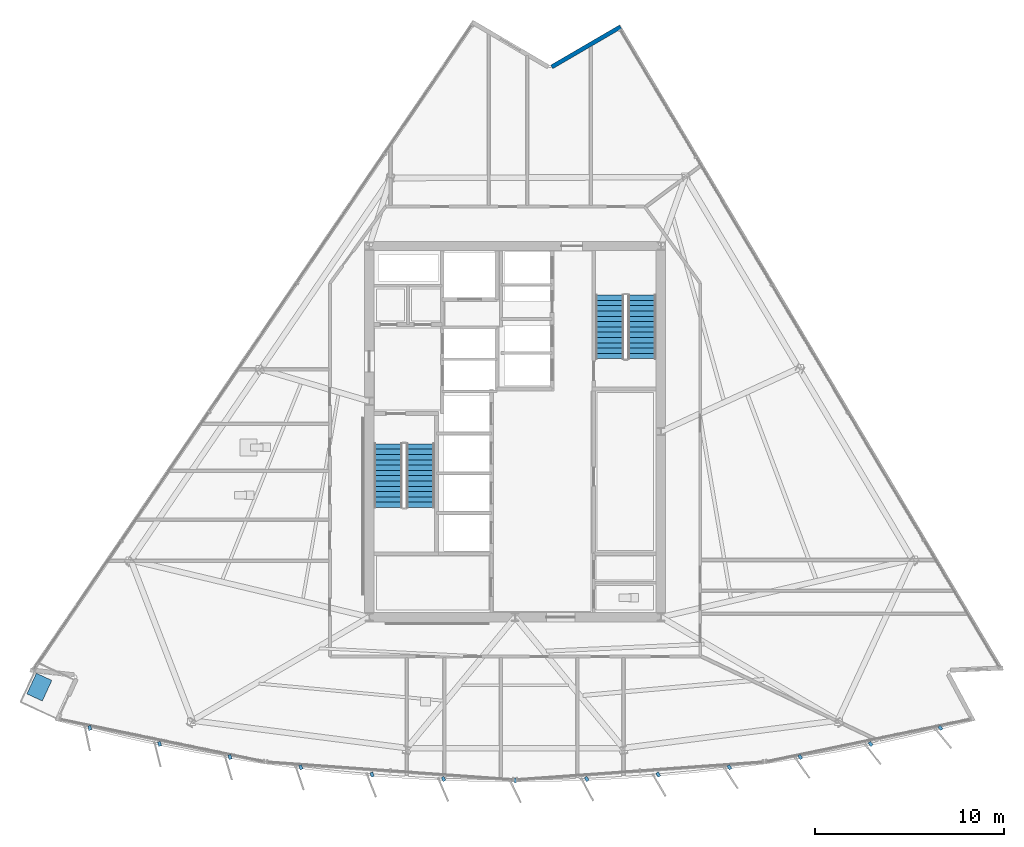
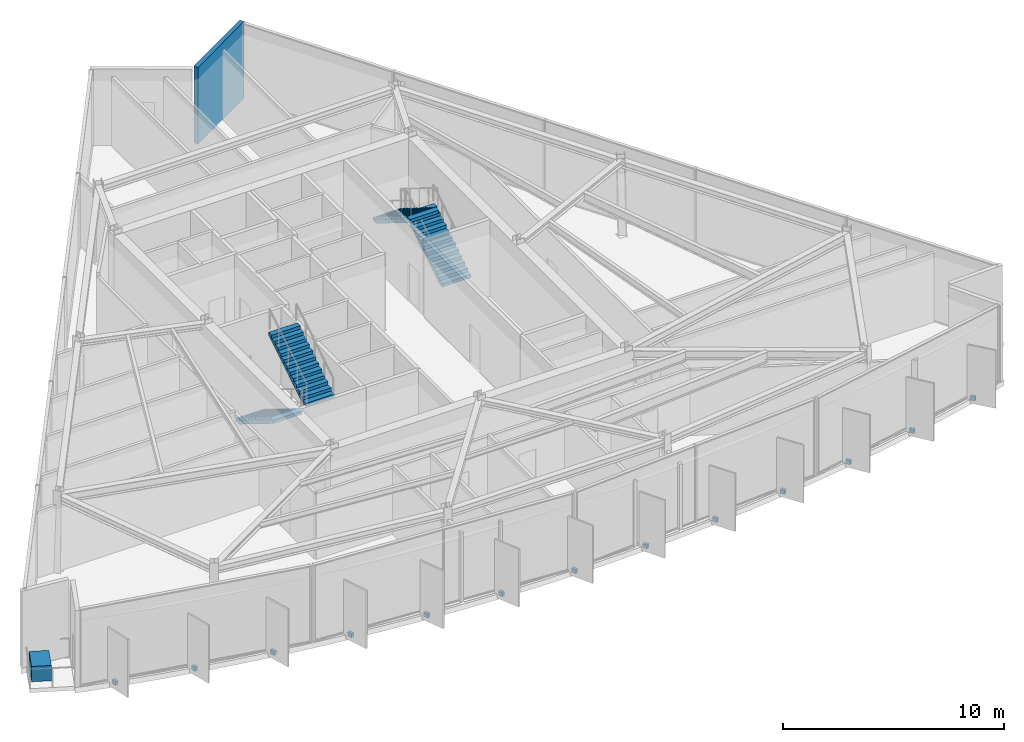
# One storey, part 9 of 13: 14 discrete accessories, 4 stair flights, 1 wall, 2 elements without a shape of their own.
"""IFC4 building model written with IfcOpenShell, lengths in metres."""

from ifc_helpers import new_model, si_unit, direction, frame, frame_2d, origin, origin_2d, place, context, subcontext, project, spatial, polyline, rectangle, outline, extrude, material, layer, layer_set, type_object, element, aggregate, save


model = new_model("IFC4")

# Units and contexts
model_context = context("Model", 3, precision=1e-05, world=origin(), true_north=direction((0.0, 1.0)))
body_context = subcontext(model_context, "Body", "Model", "MODEL_VIEW")
ifc_project = project(units=[si_unit("LENGTHUNIT", "METRE"), si_unit("AREAUNIT", "SQUARE_METRE"), si_unit("VOLUMEUNIT", "CUBIC_METRE"), si_unit("PLANEANGLEUNIT", "RADIAN"), si_unit("MASSUNIT", "GRAM", prefix="KILO")], contexts=[model_context])

# Site, building, storey
site_placement = place(None, origin())
site = spatial("IfcSite", under=ifc_project, at=site_placement, CompositionType="ELEMENT")
building_placement = place(site_placement, origin())
building = spatial("IfcBuilding", under=site, at=building_placement, Name="Savorim Split Tower", CompositionType="ELEMENT")
storey_placement = place(building_placement, frame((0.0, 0.0, 190.199951171875)))
storey = spatial("IfcBuildingStorey", under=building, at=storey_placement, Name="L50", CompositionType="ELEMENT", Elevation=190.199951171875)

# Wall
ifc_material_1 = material(Name="Precast concrete C40/50", Category="concrete")
ifc_layer = layer(ifc_material_1, 0.219970703125)
ifc_layer_set = layer_set([ifc_layer], Name="WAL-EXT-CRN220")
wall_type = type_object("IfcWallType", Name="WAL-EXT-CRN220", PredefinedType="SOLIDWALL", material=ifc_layer_set)
wall_placement = place(storey_placement, frame((1.935302734375, 19.656494140625, 0.0), z_axis=(0.0, 0.0, 1.0), x_axis=(0.863987356641, 0.503513502862, 0.0)))
element("IfcWall", 1, at=wall_placement, inside=storey, type_object=wall_type, Name="L50 Notched Corner Facade Wall NE1", PredefinedType="SOLIDWALL", context=body_context, shape_type="SweptSolid", body=[
    extrude(rectangle(XDim=4.203857421875, YDim=0.219970703125, at=frame_2d((2.10205078125, 0.0))), origin(), (0.0, 0.0, 1.0), 4.25),
])

# Stair, stair flights
ifc_material_2 = material(Name="Concrete C50/60", Category="concrete")
stair_type = type_object("IfcStairType", Name="STR-DOG-4500", PredefinedType="HALF_TURN_STAIR", material=ifc_material_2)
stair_1_placement = place(storey_placement, origin())
stair_1 = element("IfcStair", 2, at=stair_1_placement, inside=storey, type_object=stair_type, Name="L50 Core Protected Exit Stair ST-1", PredefinedType="HALF_TURN_STAIR")
stair_flight_type = type_object("IfcStairFlightType", Name="SFL-DOG-4500", PredefinedType="STRAIGHT", material=ifc_material_2)
stair_flight_1_placement = place(storey_placement, frame((-6.699951171875, -0.25, 0.0), z_axis=(0.0, 0.0, 1.0), x_axis=(0.0, -1.0, 0.0)))
stair_flight_1 = element("IfcStairFlight", 3, at=stair_flight_1_placement, type_object=stair_flight_type, Name="ST-1 flight 1", NumberOfRisers=13, NumberOfTreads=12, PredefinedType="STRAIGHT", RiserHeight=0.173076923, TreadLength=0.28, context=body_context, shape_type="SweptSolid", body=[
    extrude(outline(polyline([(0.0, 0.0), (0.0, 0.173095703125), (0.280029296875, 0.173095703125), (0.280029296875, 0.34619140625), (0.56005859375, 0.34619140625), (0.56005859375, 0.519287109375), (0.840087890625, 0.519287109375), (0.840087890625, 0.6923828125), (1.1201171875, 0.6923828125), (1.1201171875, 0.865478515625), (1.39990234375, 0.865478515625), (1.39990234375, 1.03857421875), (1.679931640625, 1.03857421875), (1.679931640625, 1.21142578125), (1.9599609375, 1.21142578125), (1.9599609375, 1.384521484375), (2.239990234375, 1.384521484375), (2.239990234375, 1.5576171875), (2.52001953125, 1.5576171875), (2.52001953125, 1.730712890625), (2.800048828125, 1.730712890625), (2.800048828125, 1.90380859375), (3.080078125, 1.90380859375), (3.080078125, 2.076904296875), (3.360107421875, 2.076904296875), (3.360107421875, 2.25), (3.360107421875, 1.900634765625), (0.28515625, 0.0), (0.0, 0.0)])), frame((0.0, 0.75, 0.0), z_axis=(0.0, -1.0, 0.0), x_axis=(1.0, 0.0, 0.0)), (0.0, 0.0, 1.0), 1.5),
])
stair_flight_2_placement = place(storey_placement, frame((-5.0, -3.610107421875, 2.25), z_axis=(0.0, 0.0, 1.0), x_axis=(0.0, 1.0, 0.0)))
stair_flight_2 = element("IfcStairFlight", 4, at=stair_flight_2_placement, type_object=stair_flight_type, Name="ST-1 flight 2", NumberOfRisers=13, NumberOfTreads=12, PredefinedType="STRAIGHT", RiserHeight=0.173076923, TreadLength=0.28, context=body_context, shape_type="SweptSolid", body=[
    extrude(outline(polyline([(0.0, 0.0), (0.0, 0.173095703125), (0.280029296875, 0.173095703125), (0.280029296875, 0.34619140625), (0.56005859375, 0.34619140625), (0.56005859375, 0.519287109375), (0.840087890625, 0.519287109375), (0.840087890625, 0.6923828125), (1.1201171875, 0.6923828125), (1.1201171875, 0.865478515625), (1.39990234375, 0.865478515625), (1.39990234375, 1.03857421875), (1.679931640625, 1.03857421875), (1.679931640625, 1.21142578125), (1.9599609375, 1.21142578125), (1.9599609375, 1.384521484375), (2.239990234375, 1.384521484375), (2.239990234375, 1.5576171875), (2.52001953125, 1.5576171875), (2.52001953125, 1.730712890625), (2.800048828125, 1.730712890625), (2.800048828125, 1.90380859375), (3.080078125, 1.90380859375), (3.080078125, 2.076904296875), (3.360107421875, 2.076904296875), (3.360107421875, 2.25), (3.360107421875, 1.900634765625), (0.28515625, 0.0), (0.0, 0.0)])), frame((0.0, 0.75, 0.0), z_axis=(0.0, -1.0, 0.0), x_axis=(1.0, 0.0, 0.0)), (0.0, 0.0, 1.0), 1.5),
])
aggregate(stair_1, [stair_flight_1, stair_flight_2])

stair_2_placement = place(storey_placement, origin())
stair_2 = element("IfcStair", 5, at=stair_2_placement, inside=storey, type_object=stair_type, Name="L50 Core Protected Exit Stair ST-2", PredefinedType="HALF_TURN_STAIR")
stair_flight_3_placement = place(storey_placement, frame((6.699951171875, 4.25, 0.0), z_axis=(0.0, 0.0, 1.0), x_axis=(0.0, 1.0, 0.0)))
stair_flight_3 = element("IfcStairFlight", 6, at=stair_flight_3_placement, type_object=stair_flight_type, Name="ST-2 flight 1", NumberOfRisers=13, NumberOfTreads=12, PredefinedType="STRAIGHT", RiserHeight=0.173076923, TreadLength=0.28, context=body_context, shape_type="SweptSolid", body=[
    extrude(outline(polyline([(0.0, 0.0), (0.0, 0.173095703125), (0.280029296875, 0.173095703125), (0.280029296875, 0.34619140625), (0.56005859375, 0.34619140625), (0.56005859375, 0.519287109375), (0.840087890625, 0.519287109375), (0.840087890625, 0.6923828125), (1.1201171875, 0.6923828125), (1.1201171875, 0.865478515625), (1.39990234375, 0.865478515625), (1.39990234375, 1.03857421875), (1.679931640625, 1.03857421875), (1.679931640625, 1.21142578125), (1.9599609375, 1.21142578125), (1.9599609375, 1.384521484375), (2.239990234375, 1.384521484375), (2.239990234375, 1.5576171875), (2.52001953125, 1.5576171875), (2.52001953125, 1.730712890625), (2.800048828125, 1.730712890625), (2.800048828125, 1.90380859375), (3.080078125, 1.90380859375), (3.080078125, 2.076904296875), (3.360107421875, 2.076904296875), (3.360107421875, 2.25), (3.360107421875, 1.900634765625), (0.28515625, 0.0), (0.0, 0.0)])), frame((0.0, 0.75, 0.0), z_axis=(0.0, -1.0, 0.0), x_axis=(1.0, 0.0, 0.0)), (0.0, 0.0, 1.0), 1.5),
])
stair_flight_4_placement = place(storey_placement, frame((5.0, 7.610107421875, 2.25), z_axis=(0.0, 0.0, 1.0), x_axis=(0.0, -1.0, 0.0)))
stair_flight_4 = element("IfcStairFlight", 7, at=stair_flight_4_placement, type_object=stair_flight_type, Name="ST-2 flight 2", NumberOfRisers=13, NumberOfTreads=12, PredefinedType="STRAIGHT", RiserHeight=0.173076923, TreadLength=0.28, context=body_context, shape_type="SweptSolid", body=[
    extrude(outline(polyline([(0.0, 0.0), (0.0, 0.173095703125), (0.280029296875, 0.173095703125), (0.280029296875, 0.34619140625), (0.56005859375, 0.34619140625), (0.56005859375, 0.519287109375), (0.840087890625, 0.519287109375), (0.840087890625, 0.6923828125), (1.1201171875, 0.6923828125), (1.1201171875, 0.865478515625), (1.39990234375, 0.865478515625), (1.39990234375, 1.03857421875), (1.679931640625, 1.03857421875), (1.679931640625, 1.21142578125), (1.9599609375, 1.21142578125), (1.9599609375, 1.384521484375), (2.239990234375, 1.384521484375), (2.239990234375, 1.5576171875), (2.52001953125, 1.5576171875), (2.52001953125, 1.730712890625), (2.800048828125, 1.730712890625), (2.800048828125, 1.90380859375), (3.080078125, 1.90380859375), (3.080078125, 2.076904296875), (3.360107421875, 2.076904296875), (3.360107421875, 2.25), (3.360107421875, 1.900634765625), (0.28515625, 0.0), (0.0, 0.0)])), frame((0.0, 0.75, 0.0), z_axis=(0.0, -1.0, 0.0), x_axis=(1.0, 0.0, 0.0)), (0.0, 0.0, 1.0), 1.5),
])
aggregate(stair_2, [stair_flight_3, stair_flight_4])

# Discrete accessories
ifc_material_3 = material(Name="Steel S355", Category="steel")
discrete_accessory_type_1 = type_object("IfcDiscreteAccessoryType", Name="ACC-BRK-FIN", PredefinedType="BRACKET", material=ifc_material_3)
for number, where, z_axis, x_axis, name in (
    (8, (-22.460205078125, -15.250732421875, -0.18994140625), (0.0, 0.0, 1.0), (0.206721626106, -0.978399800337, 0.0), "L50 Fin Slab-Edge Cleat Bracket 01"),
    (9, (-18.774658203125, -16.0947265625, -0.18994140625), (0.0, 0.0, 1.0), (0.246581250663, -0.969122121727, 0.0), "L50 Fin Slab-Edge Cleat Bracket 02"),
    (10, (-15.0576171875, -16.787109375, -0.18994140625), (0.0, 0.0, 1.0), (0.286026212504, -0.958221793616, 0.0), "L50 Fin Slab-Edge Cleat Bracket 03"),
    (11, (-11.315185546875, -17.326904296875, -0.18994140625), (0.0, 0.0, 1.0), (0.324993810493, -0.945716143005, 0.0), "L50 Fin Slab-Edge Cleat Bracket 04"),
    (12, (-7.55419921875, -17.713134765625, -0.18994140625), (0.0, 0.0, 1.0), (0.363415461732, -0.931627179817, 0.0), "L50 Fin Slab-Edge Cleat Bracket 05"),
    (13, (-3.7802734375, -17.945068359375, -0.18994140625), (0.0, 0.0, 1.0), (0.401230091723, -0.915977299662, 0.0), "L50 Fin Slab-Edge Cleat Bracket 06"),
    (14, (0.0, -18.0224609375, -0.18994140625), (0.0, 0.0, 1.0), (0.438371146789, -0.898794046299, 0.0), "L50 Fin Slab-Edge Cleat Bracket 07"),
    (15, (3.7802734375, -17.945068359375, -0.18994140625), (0.0, 0.0, 1.0), (0.474778051978, -0.880105562623, 0.0), "L50 Fin Slab-Edge Cleat Bracket 08"),
    (16, (7.55419921875, -17.713134765625, -0.18994140625), (0.0, 0.0, 1.0), (0.510391336723, -0.859942255851, 0.0), "L50 Fin Slab-Edge Cleat Bracket 09"),
    (17, (11.315185546875, -17.326904296875, -0.18994140625), (0.0, 0.0, 1.0), (0.545148321708, -0.838339613366, 0.0), "L50 Fin Slab-Edge Cleat Bracket 10"),
    (18, (15.0576171875, -16.787109375, -0.18994140625), (0.0, 0.0, 1.0), (0.578993757737, -0.815331974414, 0.0), "L50 Fin Slab-Edge Cleat Bracket 11"),
    (19, (18.774658203125, -16.0947265625, -0.18994140625), (0.0, 0.0, 1.0), (0.611868076908, -0.790959832394, 0.0), "L50 Fin Slab-Edge Cleat Bracket 12"),
    (20, (22.460205078125, -15.250732421875, -0.18994140625), (0.0, 0.0, 1.0), (0.643719022682, -0.765261928909, 0.0), "L50 Fin Slab-Edge Cleat Bracket 13"),
):
    element("IfcDiscreteAccessory", number, at=place(storey_placement, frame(where, z_axis=z_axis, x_axis=x_axis)), inside=storey, type_object=discrete_accessory_type_1, Name=name, PredefinedType="BRACKET", context=body_context, shape_type="SweptSolid", body=[
        extrude(rectangle(XDim=0.239990234375, YDim=0.159912109375, at=origin_2d()), origin(), (0.0, 0.0, 1.0), 0.219970703125),
    ])
ifc_material_4 = material(Name="Architectural Precast Planter Concrete C40/50", Category="concrete")
discrete_accessory_type_2 = type_object("IfcDiscreteAccessoryType", Name="ACC-PLN-TREE", PredefinedType="USERDEFINED", material=ifc_material_4)
discrete_accessory_placement = place(storey_placement, frame((-25.122314453125, -13.095703125, 0.0), z_axis=(0.0, 0.0, 1.0), x_axis=(-0.417483310232, -0.908684590866, 0.0)))
element("IfcDiscreteAccessory", 21, at=discrete_accessory_placement, inside=storey, type_object=discrete_accessory_type_2, Name="L50 Balcony Precast Tree Planter SW", ObjectType="PLANTER", PredefinedType="USERDEFINED", context=body_context, shape_type="SweptSolid", body=[
    extrude(rectangle(XDim=1.199951171875, YDim=0.89990234375, at=origin_2d()), origin(), (0.0, 0.0, 1.0), 0.85009765625),
])

save(model, "model.ifc")
